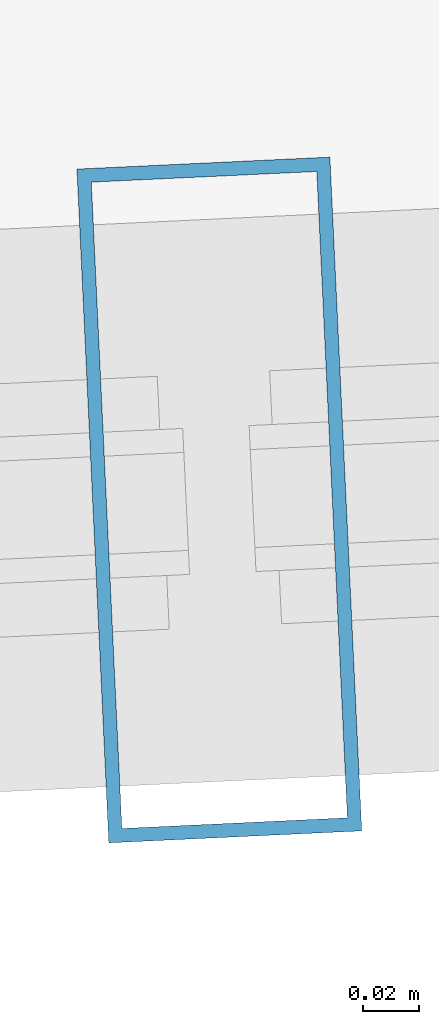
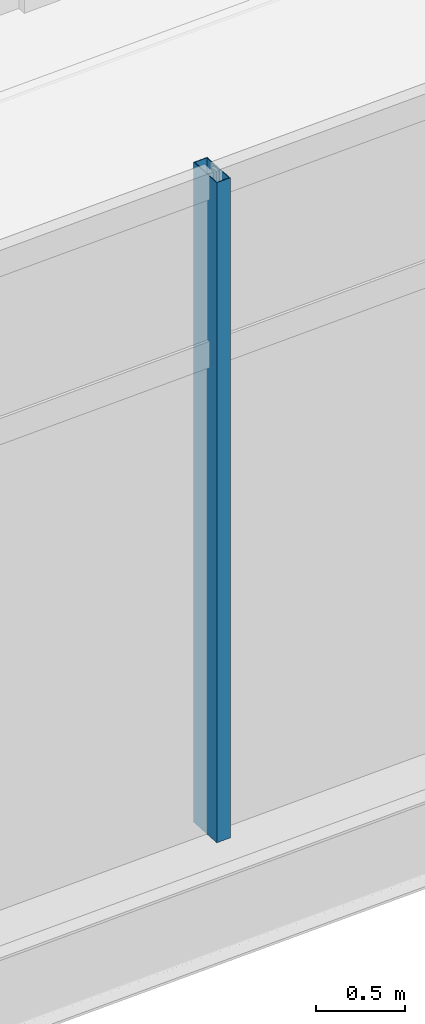
# One storey, part 28 of 103: 1 member, 1 element without a shape of its own.
"""IFC4 building model written with IfcOpenShell, lengths in metres."""

from ifc_helpers import new_model, si_unit, direction, frame, origin, origin_2d, place, context, subcontext, project, spatial, hollow_rectangle, extrude, material, layer, layer_set, material_profile, profile_set, type_object, element, aggregate, save


model = new_model("IFC4")

# Units and contexts
model_context = context("Model", 3, precision=1e-05, world=origin(), true_north=direction((0.0, 1.0)))
body_context = subcontext(model_context, "Body", "Model", "MODEL_VIEW")
ifc_project = project(units=[si_unit("LENGTHUNIT", "METRE"), si_unit("AREAUNIT", "SQUARE_METRE"), si_unit("VOLUMEUNIT", "CUBIC_METRE"), si_unit("PLANEANGLEUNIT", "RADIAN"), si_unit("MASSUNIT", "GRAM", prefix="KILO")], contexts=[model_context])

# Site, building, storey
site_placement = place(None, origin())
site = spatial("IfcSite", under=ifc_project, at=site_placement, CompositionType="ELEMENT")
building_placement = place(site_placement, origin())
building = spatial("IfcBuilding", under=site, at=building_placement, Name="Kazemori Nagisa Stadium", CompositionType="ELEMENT")
storey_placement = place(building_placement, frame((0.0, 0.0, 25.840087890625)))
storey = spatial("IfcBuildingStorey", under=building, at=storey_placement, Name="L05", CompositionType="ELEMENT", Elevation=25.840087890625)

# Curtain wall, member
ifc_material_1 = material(Name="Anodised aluminium 6063-T5", Category="aluminium")
ifc_layer = layer(ifc_material_1, 0.239990234375, Name="Anodised aluminium 6063-T5", Category="aluminium")
ifc_layer_set = layer_set([ifc_layer], Name="Anodised aluminium 6063-T5")
curtain_wall_type = type_object("IfcCurtainWallType", Name="CW_L05R3_105", PredefinedType="USERDEFINED", material=ifc_layer_set)
curtain_wall_placement = place(storey_placement, origin())
curtain_wall = element("IfcCurtainWall", 1, at=curtain_wall_placement, inside=storey, type_object=curtain_wall_type, Name="Unitised curtain wall CW-L05R3-105 L05", ObjectType="UNITISED CURTAIN WALL", PredefinedType="USERDEFINED")
ifc_material_2 = material(Name="Aluminium 6063-T5 anodised", Category="aluminium")
ifc_material_profile = material_profile(ifc_material_2, hollow_rectangle(XDim=0.090087890625, YDim=0.239990234375, WallThickness=0.0048828125, at=origin_2d()), Name="ALU-MULL-90x240x5")
ifc_profile_set = profile_set([ifc_material_profile], Name="Aluminium 6063-T5 anodised")
member_type = type_object("IfcMemberType", Name="Mullion_M03", PredefinedType="MULLION", material=ifc_profile_set)
member_placement = place(storey_placement, frame((130.2275390625, 16.341796875, 0.0), z_axis=(0.0, 0.0, 1.0), x_axis=(0.998884022476, 0.047230388971, 0.0)))
member = element("IfcMember", 2, at=member_placement, type_object=member_type, Name="Curtain wall mullion CW-L05R3-105-M2", PredefinedType="MULLION", context=body_context, shape_type="SweptSolid", body=[
    extrude(hollow_rectangle(XDim=0.090087890625, YDim=0.239990234375, WallThickness=0.0048828125, at=origin_2d()), origin(), (0.0, 0.0, 1.0), 4.530029296875),
])
aggregate(curtain_wall, [member])

save(model, "model.ifc")
